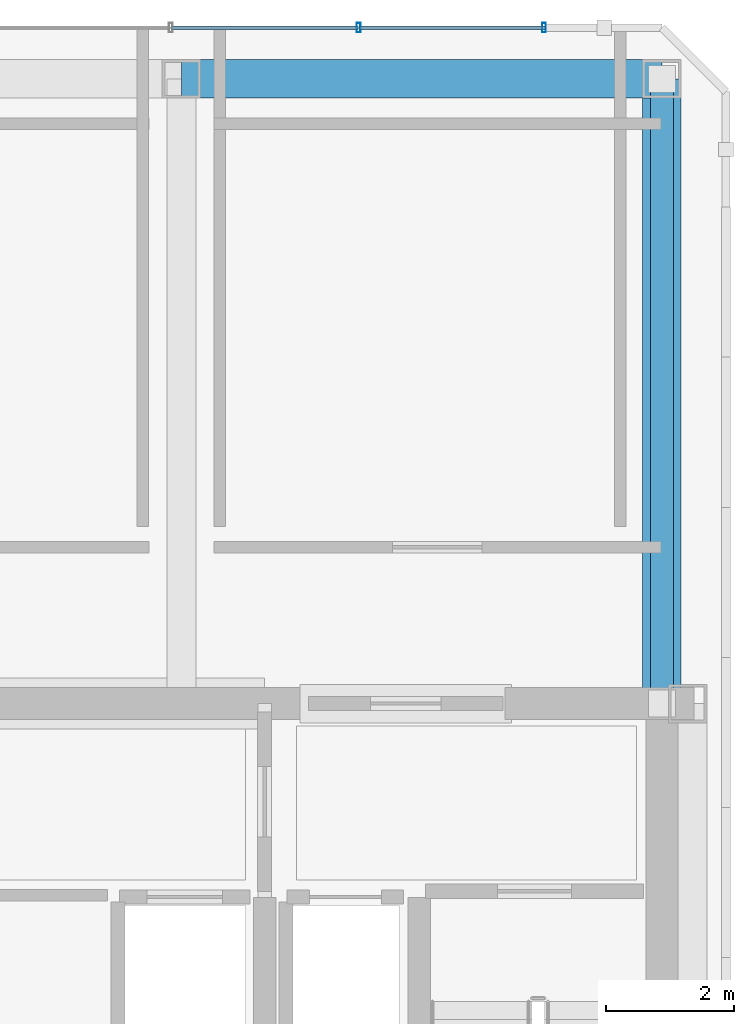
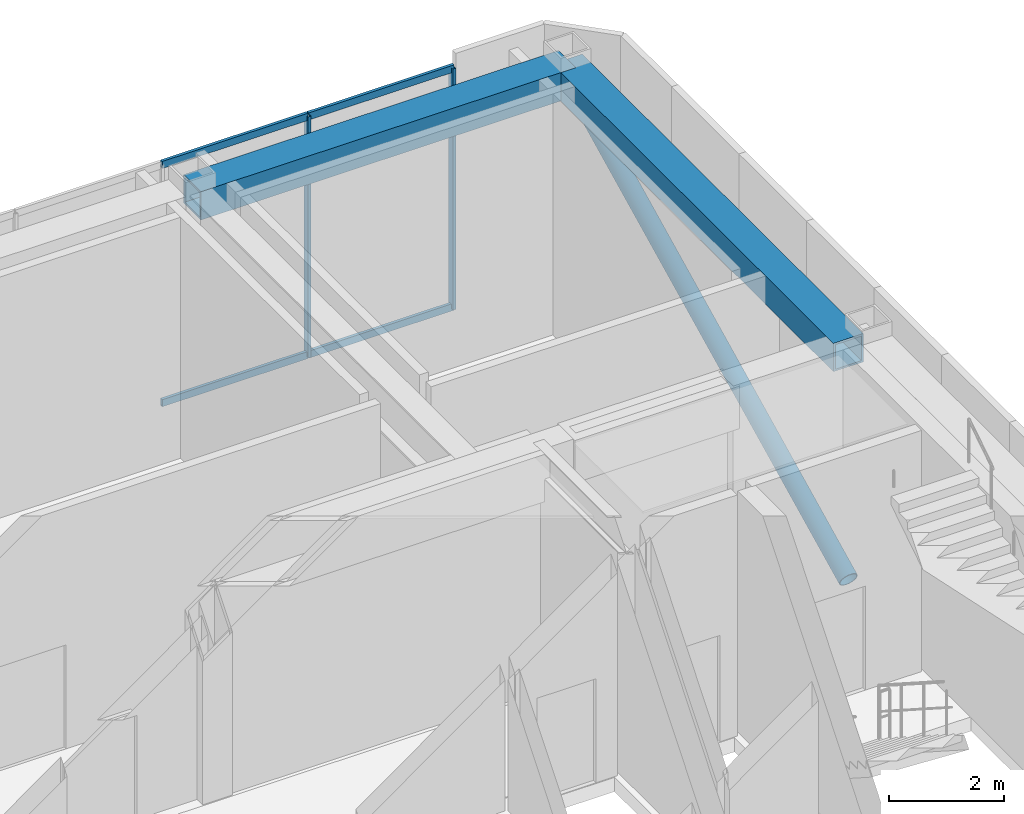
# One storey, part 6 of 9: 7 members, 2 beams, 1 element without a shape of its own.
"""IFC4 building model written with IfcOpenShell, lengths in metres."""

from ifc_helpers import new_model, si_unit, direction, frame, origin, origin_2d, place, context, subcontext, project, spatial, hollow_rectangle, hollow_circle, extrude, material, material_profile, profile_set, type_object, element, aggregate, save


model = new_model("IFC4")

# Units and contexts
model_context = context("Model", 3, precision=1e-05, world=origin(), true_north=direction((0.0, 1.0)))
body_context = subcontext(model_context, "Body", "Model", "MODEL_VIEW")
ifc_project = project(units=[si_unit("LENGTHUNIT", "METRE"), si_unit("AREAUNIT", "SQUARE_METRE"), si_unit("VOLUMEUNIT", "CUBIC_METRE"), si_unit("PLANEANGLEUNIT", "RADIAN"), si_unit("MASSUNIT", "GRAM", prefix="KILO")], contexts=[model_context])

# Site, building, storey
site_placement = place(None, origin())
site = spatial("IfcSite", under=ifc_project, at=site_placement, CompositionType="ELEMENT")
building_placement = place(site_placement, origin())
building = spatial("IfcBuilding", under=site, at=building_placement, Name="Ventersveld Concourse Tower", CompositionType="ELEMENT")
storey_placement = place(building_placement, frame((0.0, 0.0, 372.050048828125)))
storey = spatial("IfcBuildingStorey", under=building, at=storey_placement, Name="L91", CompositionType="ELEMENT", Elevation=372.050048828125)

# Member
ifc_material_1 = material(Name="Structural steel S355ML", Category="steel")
ifc_material_profile_1 = material_profile(ifc_material_1, hollow_circle(Radius=0.177734375, WallThickness=0.01611328125, at=origin_2d()), Name="CHS 355.6x16")
ifc_profile_set_1 = profile_set([ifc_material_profile_1], Name="Structural steel S355ML")
member_type_1 = type_object("IfcMemberType", Name="CF-BR-355", PredefinedType="BRACE", material=ifc_profile_set_1)
member_1_placement = place(storey_placement, frame((43.75, 11.449951171875, 0.0), z_axis=(0.0, 0.897168895597, 0.441687641635), x_axis=(-1.0, 0.0, 0.0)))
element("IfcMember", 1, at=member_1_placement, inside=storey, type_object=member_type_1, Name="L91 CROWN FRAME Wind Brace 4", PredefinedType="BRACE", context=body_context, shape_type="SweptSolid", body=[
    extrude(hollow_circle(Radius=0.177734375, WallThickness=0.01611328125, at=origin_2d()), origin(), (0.0, 0.0, 1.0), 10.867431640625),
])

# Curtain wall, members
ifc_material_2 = material(Name="Anodised aluminium EN AW-6063-T6", Category="aluminium")
curtain_wall_type = type_object("IfcCurtainWallType", Name="CW-CRN-6", PredefinedType="NOTDEFINED", material=ifc_material_2)
curtain_wall_placement = place(storey_placement, origin())
curtain_wall = element("IfcCurtainWall", 2, at=curtain_wall_placement, inside=storey, type_object=curtain_wall_type, Name="L91 L91 Crown North Glazed Curtain Wall", PredefinedType="NOTDEFINED")
ifc_material_profile_2 = material_profile(ifc_material_2, hollow_rectangle(XDim=0.06005859375, YDim=0.14990234375, WallThickness=0.00390625, at=origin_2d()), Name="ALU 150x60x4")
ifc_profile_set_2 = profile_set([ifc_material_profile_2], Name="Anodised aluminium EN AW-6063-T6")
member_type_2 = type_object("IfcMemberType", Name="CWM-150x65", PredefinedType="MULLION", material=ifc_profile_set_2)
member_2_placement = place(storey_placement, frame((41.909912109375, 22.0, 0.0), z_axis=(0.0, 0.0, 1.0), x_axis=(1.0, 0.0, 0.0)))
member_2 = element("IfcMember", 3, at=member_2_placement, type_object=member_type_2, Name="CW-L91-N Mullion 01", PredefinedType="MULLION", context=body_context, shape_type="SweptSolid", body=[
    extrude(hollow_rectangle(XDim=0.06005859375, YDim=0.14990234375, WallThickness=0.00390625, at=origin_2d()), origin(), (0.0, 0.0, 1.0), 5.099853515625),
])
member_3_placement = place(storey_placement, frame((39.0166015625, 22.0, 0.0), z_axis=(0.0, 0.0, 1.0), x_axis=(1.0, 0.0, 0.0)))
member_3 = element("IfcMember", 4, at=member_3_placement, type_object=member_type_2, Name="CW-L91-N Mullion 02", PredefinedType="MULLION", context=body_context, shape_type="SweptSolid", body=[
    extrude(hollow_rectangle(XDim=0.06005859375, YDim=0.14990234375, WallThickness=0.00390625, at=origin_2d()), origin(), (0.0, 0.0, 1.0), 5.099853515625),
])
ifc_material_profile_3 = material_profile(ifc_material_2, hollow_rectangle(XDim=0.06005859375, YDim=0.14990234375, WallThickness=0.00390625, at=origin_2d()), Name="ALU 150x60x4")
ifc_profile_set_3 = profile_set([ifc_material_profile_3], Name="Anodised aluminium EN AW-6063-T6")
member_type_3 = type_object("IfcMemberType", Name="CWT-150x60", PredefinedType="USERDEFINED", material=ifc_profile_set_3)
member_4_placement = place(storey_placement, frame((41.929931640625, 22.0, 0.030029296875), z_axis=(-1.0, 0.0, 0.0), x_axis=(0.0, -1.0, 0.0)))
member_4 = element("IfcMember", 5, at=member_4_placement, type_object=member_type_3, Name="CW-L91-N Transom 1-01", ObjectType="TRANSOM", PredefinedType="USERDEFINED", context=body_context, shape_type="SweptSolid", body=[
    extrude(hollow_rectangle(XDim=0.06005859375, YDim=0.14990234375, WallThickness=0.00390625, at=origin_2d()), origin(), (0.0, 0.0, 1.0), 2.9033203125),
])
member_5_placement = place(storey_placement, frame((39.006591796875, 22.0, 0.030029296875), z_axis=(-1.0, 0.0, 0.0), x_axis=(0.0, -1.0, 0.0)))
member_5 = element("IfcMember", 6, at=member_5_placement, type_object=member_type_3, Name="CW-L91-N Transom 1-02", ObjectType="TRANSOM", PredefinedType="USERDEFINED", context=body_context, shape_type="SweptSolid", body=[
    extrude(hollow_rectangle(XDim=0.06005859375, YDim=0.14990234375, WallThickness=0.00390625, at=origin_2d()), origin(), (0.0, 0.0, 1.0), 2.913330078125),
])
member_6_placement = place(storey_placement, frame((41.929931640625, 22.0, 5.070068359375), z_axis=(-1.0, 0.0, 0.0), x_axis=(0.0, -1.0, 0.0)))
member_6 = element("IfcMember", 7, at=member_6_placement, type_object=member_type_3, Name="CW-L91-N Transom 2-01", ObjectType="TRANSOM", PredefinedType="USERDEFINED", context=body_context, shape_type="SweptSolid", body=[
    extrude(hollow_rectangle(XDim=0.06005859375, YDim=0.14990234375, WallThickness=0.00390625, at=origin_2d()), origin(), (0.0, 0.0, 1.0), 2.9033203125),
])
member_7_placement = place(storey_placement, frame((39.006591796875, 22.0, 5.070068359375), z_axis=(-1.0, 0.0, 0.0), x_axis=(0.0, -1.0, 0.0)))
member_7 = element("IfcMember", 8, at=member_7_placement, type_object=member_type_3, Name="CW-L91-N Transom 2-02", ObjectType="TRANSOM", PredefinedType="USERDEFINED", context=body_context, shape_type="SweptSolid", body=[
    extrude(hollow_rectangle(XDim=0.06005859375, YDim=0.14990234375, WallThickness=0.00390625, at=origin_2d()), origin(), (0.0, 0.0, 1.0), 2.913330078125),
])
aggregate(curtain_wall, [member_2, member_3, member_4, member_5, member_6, member_7])

# Beams
ifc_material_profile_4 = material_profile(ifc_material_1, hollow_rectangle(XDim=0.60009765625, YDim=0.60009765625, WallThickness=0.0400390625, at=origin_2d()), Name="BOX 600x600x40")
ifc_profile_set_4 = profile_set([ifc_material_profile_4], Name="Structural steel S355ML")
beam_type = type_object("IfcBeamType", Name="SPD-BOX600", PredefinedType="SPANDREL", material=ifc_profile_set_4)
beam_1_placement = place(storey_placement, frame((43.75, 11.449951171875, 4.800048828125), z_axis=(0.0, 1.0, 0.0), x_axis=(-1.0, 0.0, 0.0)))
element("IfcBeam", 9, at=beam_1_placement, inside=storey, type_object=beam_type, Name="L91 CROWN FRAME Perimeter Ring Beam 3", PredefinedType="SPANDREL", context=body_context, shape_type="SweptSolid", body=[
    extrude(hollow_rectangle(XDim=0.60009765625, YDim=0.60009765625, WallThickness=0.0400390625, at=origin_2d()), origin(), (0.0, 0.0, 1.0), 9.75),
])
beam_2_placement = place(storey_placement, frame((43.75, 21.199951171875, 4.800048828125), z_axis=(-1.0, 0.0, 0.0), x_axis=(0.0, -1.0, 0.0)))
element("IfcBeam", 10, at=beam_2_placement, inside=storey, type_object=beam_type, Name="L91 CROWN FRAME Perimeter Ring Beam 4", PredefinedType="SPANDREL", context=body_context, shape_type="SweptSolid", body=[
    extrude(hollow_rectangle(XDim=0.60009765625, YDim=0.60009765625, WallThickness=0.0400390625, at=origin_2d()), origin(), (0.0, 0.0, 1.0), 7.5),
])

save(model, "model.ifc")
